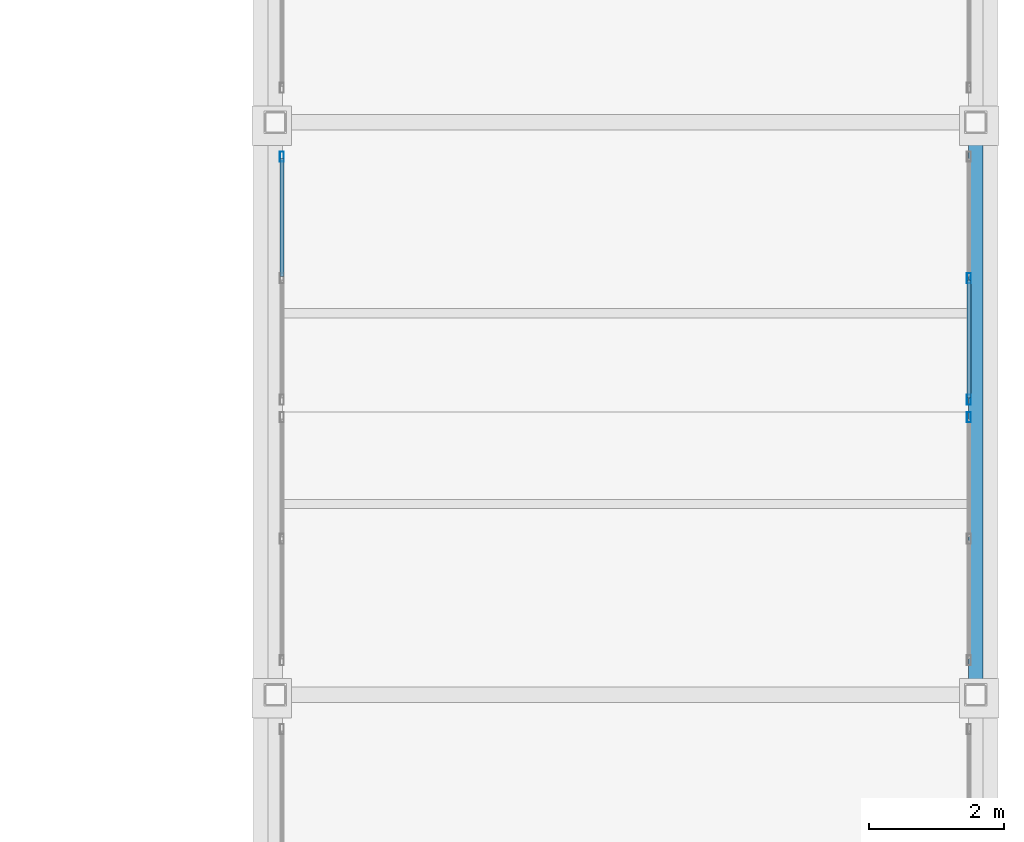
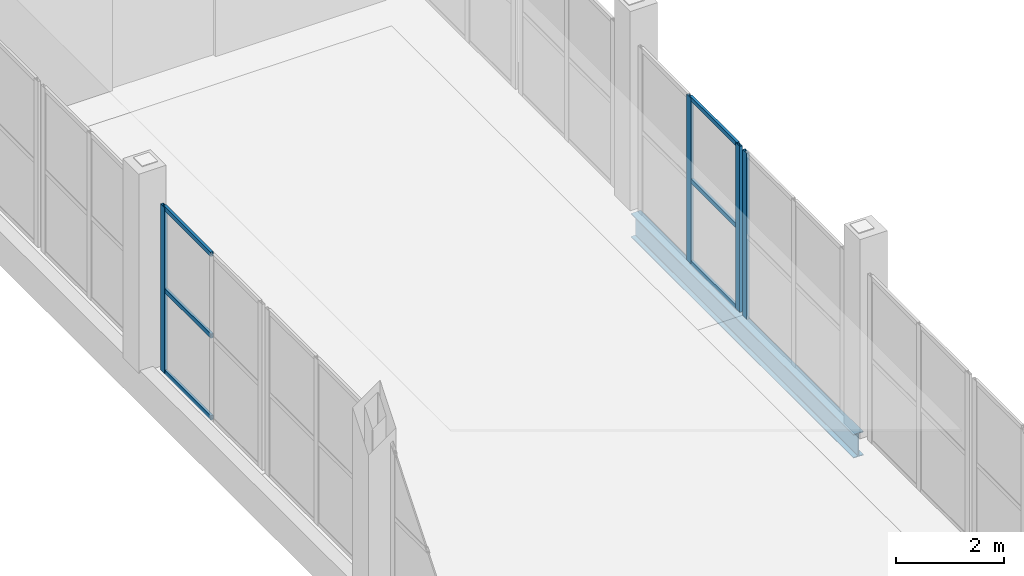
# One storey, part 77 of 156: 10 members, 1 beam, 3 elements without a shape of their own.
"""IFC4 building model written with IfcOpenShell, lengths in metres."""

from ifc_helpers import new_model, si_unit, direction, frame, origin, origin_2d, place, context, subcontext, project, spatial, hollow_rectangle, i_section, extrude, material, material_profile, profile_set, type_object, element, aggregate, save


model = new_model("IFC4")

# Units and contexts
model_context = context("Model", 3, precision=1e-05, world=origin(), true_north=direction((0.0, 1.0)))
body_context = subcontext(model_context, "Body", "Model", "MODEL_VIEW")
ifc_project = project(units=[si_unit("LENGTHUNIT", "METRE"), si_unit("AREAUNIT", "SQUARE_METRE"), si_unit("VOLUMEUNIT", "CUBIC_METRE"), si_unit("PLANEANGLEUNIT", "RADIAN"), si_unit("MASSUNIT", "GRAM", prefix="KILO")], contexts=[model_context])

# Site, building, storey
site_placement = place(None, origin())
site = spatial("IfcSite", under=ifc_project, at=site_placement, CompositionType="ELEMENT")
building_placement = place(site_placement, origin())
building = spatial("IfcBuilding", under=site, at=building_placement, Name="Caurita Quay Ferry Terminal", CompositionType="ELEMENT")
storey_placement = place(building_placement, frame((0.0, 0.0, 5.39990234375)))
storey = spatial("IfcBuildingStorey", under=building, at=storey_placement, Name="L01", CompositionType="ELEMENT", Elevation=5.39990234375)

# Beam
ifc_material_1 = material(Name="Structural steel ASTM A992 Gr. 50", Category="steel")
ifc_material_profile_1 = material_profile(ifc_material_1, i_section(OverallWidth=0.210693359375, OverallDepth=0.53857421875, WebThickness=0.01171875, FlangeThickness=0.018798828125, FilletRadius=0.013916015625, at=origin_2d()), Name="W21X73")
ifc_profile_set_1 = profile_set([ifc_material_profile_1], Name="Structural steel ASTM A992 Gr. 50")
beam_type = type_object("IfcBeamType", Name="BM-GR-W21A", PredefinedType="BEAM", material=ifc_profile_set_1)
beam_placement = place(storey_placement, frame((174.0, 17.12939453125, -0.504150390625), z_axis=(0.0, 1.0, 0.0), x_axis=(-1.0, 0.0, 0.0)))
element("IfcBeam", 1, at=beam_placement, inside=storey, type_object=beam_type, Name="L01 Beam BM-V3P-L01-Y-1740-171", PredefinedType="BEAM", context=body_context, shape_type="SweptSolid", body=[
    extrude(i_section(OverallWidth=0.210693359375, OverallDepth=0.53857421875, WebThickness=0.01171875, FlangeThickness=0.018798828125, FilletRadius=0.013916015625, at=origin_2d()), origin(), (0.0, 0.0, 1.0), 8.2412109375),
])

# Curtain wall, member
ifc_material_2 = material(Name="Laminated solar-control insulated glass", Category="glass")
curtain_wall_type = type_object("IfcCurtainWallType", Name="CW-SYS-15", PredefinedType="NOTDEFINED", material=ifc_material_2)
curtain_wall_1_placement = place(storey_placement, origin())
curtain_wall_1 = element("IfcCurtainWall", 2, at=curtain_wall_1_placement, inside=storey, type_object=curtain_wall_type, Name="Boarding Gangway Ribbon Curtain Wall 127", PredefinedType="NOTDEFINED")
ifc_material_3 = material(Name="Anodized aluminium 6063-T6", Category="aluminium")
ifc_material_profile_2 = material_profile(ifc_material_3, hollow_rectangle(XDim=0.06005859375, YDim=0.14990234375, WallThickness=0.00341796875, at=origin_2d()), Name="ALU-MUL-60X150")
ifc_profile_set_2 = profile_set([ifc_material_profile_2], Name="Anodized aluminium 6063-T6")
member_type_1 = type_object("IfcMemberType", Name="CW-MUL-150", PredefinedType="MULLION", material=ifc_profile_set_2)
member_1_placement = place(storey_placement, frame((163.699951171875, 24.989990234375, 0.0), z_axis=(0.0, 0.0, 1.0), x_axis=(-1.0, 0.0, 0.0)))
member_1 = element("IfcMember", 3, at=member_1_placement, type_object=member_type_1, Name="CW-BGW-127 Mullion 3", PredefinedType="MULLION", context=body_context, shape_type="SweptSolid", body=[
    extrude(hollow_rectangle(XDim=0.06005859375, YDim=0.14990234375, WallThickness=0.00341796875, at=origin_2d()), origin(), (0.0, 0.0, 1.0), 3.75),
])

curtain_wall_2_placement = place(storey_placement, origin())
curtain_wall_2 = element("IfcCurtainWall", 4, at=curtain_wall_2_placement, inside=storey, type_object=curtain_wall_type, Name="Boarding Gangway Ribbon Curtain Wall 132", PredefinedType="NOTDEFINED")
member_2_placement = place(storey_placement, frame((173.89990234375, 21.1201171875, 0.0), z_axis=(0.0, 0.0, 1.0), x_axis=(-1.0, 0.0, 0.0)))
member_2 = element("IfcMember", 5, at=member_2_placement, type_object=member_type_1, Name="CW-BGW-132 Mullion 3", PredefinedType="MULLION", context=body_context, shape_type="SweptSolid", body=[
    extrude(hollow_rectangle(XDim=0.06005859375, YDim=0.14990234375, WallThickness=0.00341796875, at=origin_2d()), origin(), (0.0, 0.0, 1.0), 3.75),
])
aggregate(curtain_wall_2, [member_2])

# Curtain wall, members
curtain_wall_3_placement = place(storey_placement, origin())
curtain_wall_3 = element("IfcCurtainWall", 6, at=curtain_wall_3_placement, inside=storey, type_object=curtain_wall_type, Name="Boarding Gangway Ribbon Curtain Wall 133", PredefinedType="NOTDEFINED")
member_3_placement = place(storey_placement, frame((173.89990234375, 21.3798828125, 0.0), z_axis=(0.0, 0.0, 1.0), x_axis=(-1.0, 0.0, 0.0)))
member_3 = element("IfcMember", 7, at=member_3_placement, type_object=member_type_1, Name="CW-BGW-133 Mullion 1", PredefinedType="MULLION", context=body_context, shape_type="SweptSolid", body=[
    extrude(hollow_rectangle(XDim=0.06005859375, YDim=0.14990234375, WallThickness=0.00341796875, at=origin_2d()), origin(), (0.0, 0.0, 1.0), 3.75),
])
member_4_placement = place(storey_placement, frame((173.89990234375, 23.18505859375, 0.0), z_axis=(0.0, 0.0, 1.0), x_axis=(-1.0, 0.0, 0.0)))
member_4 = element("IfcMember", 8, at=member_4_placement, type_object=member_type_1, Name="CW-BGW-133 Mullion 2", PredefinedType="MULLION", context=body_context, shape_type="SweptSolid", body=[
    extrude(hollow_rectangle(XDim=0.06005859375, YDim=0.14990234375, WallThickness=0.00341796875, at=origin_2d()), origin(), (0.0, 0.0, 1.0), 3.75),
])

# Member
ifc_material_profile_3 = material_profile(ifc_material_3, hollow_rectangle(XDim=0.054931640625, YDim=0.10009765625, WallThickness=0.00341796875, at=origin_2d()), Name="ALU-TRN-55X100")
ifc_profile_set_3 = profile_set([ifc_material_profile_3], Name="Anodized aluminium 6063-T6")
member_type_2 = type_object("IfcMemberType", Name="CW-TRN-100", PredefinedType="USERDEFINED", material=ifc_profile_set_3)
member_5_placement = place(storey_placement, frame((163.699951171875, 23.212890625, 0.027587890625), z_axis=(0.0, 1.0, 0.0), x_axis=(-1.0, 0.0, 0.0)))
member_5 = element("IfcMember", 9, at=member_5_placement, type_object=member_type_2, Name="CW-BGW-127 Transom 4", ObjectType="TRANSOM", PredefinedType="USERDEFINED", context=body_context, shape_type="SweptSolid", body=[
    extrude(hollow_rectangle(XDim=0.054931640625, YDim=0.10009765625, WallThickness=0.00341796875, at=origin_2d()), origin(), (0.0, 0.0, 1.0), 1.7490234375),
])

member_6_placement = place(storey_placement, frame((163.699951171875, 23.212890625, 1.875), z_axis=(0.0, 1.0, 0.0), x_axis=(-1.0, 0.0, 0.0)))
member_6 = element("IfcMember", 10, at=member_6_placement, type_object=member_type_2, Name="CW-BGW-127 Transom 5", ObjectType="TRANSOM", PredefinedType="USERDEFINED", context=body_context, shape_type="SweptSolid", body=[
    extrude(hollow_rectangle(XDim=0.054931640625, YDim=0.10009765625, WallThickness=0.00341796875, at=origin_2d()), origin(), (0.0, 0.0, 1.0), 1.7490234375),
])

member_7_placement = place(storey_placement, frame((163.699951171875, 23.212890625, 3.72265625), z_axis=(0.0, 1.0, 0.0), x_axis=(-1.0, 0.0, 0.0)))
member_7 = element("IfcMember", 11, at=member_7_placement, type_object=member_type_2, Name="CW-BGW-127 Transom 6", ObjectType="TRANSOM", PredefinedType="USERDEFINED", context=body_context, shape_type="SweptSolid", body=[
    extrude(hollow_rectangle(XDim=0.054931640625, YDim=0.10009765625, WallThickness=0.00341796875, at=origin_2d()), origin(), (0.0, 0.0, 1.0), 1.7490234375),
])

aggregate(curtain_wall_1, [member_1, member_5, member_6, member_7])

member_8_placement = place(storey_placement, frame((173.89990234375, 21.407958984375, 0.027587890625), z_axis=(0.0, 1.0, 0.0), x_axis=(-1.0, 0.0, 0.0)))
member_8 = element("IfcMember", 12, at=member_8_placement, type_object=member_type_2, Name="CW-BGW-133 Transom 1", ObjectType="TRANSOM", PredefinedType="USERDEFINED", context=body_context, shape_type="SweptSolid", body=[
    extrude(hollow_rectangle(XDim=0.054931640625, YDim=0.10009765625, WallThickness=0.00341796875, at=origin_2d()), origin(), (0.0, 0.0, 1.0), 1.7490234375),
])

member_9_placement = place(storey_placement, frame((173.89990234375, 21.407958984375, 1.875), z_axis=(0.0, 1.0, 0.0), x_axis=(-1.0, 0.0, 0.0)))
member_9 = element("IfcMember", 13, at=member_9_placement, type_object=member_type_2, Name="CW-BGW-133 Transom 2", ObjectType="TRANSOM", PredefinedType="USERDEFINED", context=body_context, shape_type="SweptSolid", body=[
    extrude(hollow_rectangle(XDim=0.054931640625, YDim=0.10009765625, WallThickness=0.00341796875, at=origin_2d()), origin(), (0.0, 0.0, 1.0), 1.7490234375),
])

member_10_placement = place(storey_placement, frame((173.89990234375, 21.407958984375, 3.72265625), z_axis=(0.0, 1.0, 0.0), x_axis=(-1.0, 0.0, 0.0)))
member_10 = element("IfcMember", 14, at=member_10_placement, type_object=member_type_2, Name="CW-BGW-133 Transom 3", ObjectType="TRANSOM", PredefinedType="USERDEFINED", context=body_context, shape_type="SweptSolid", body=[
    extrude(hollow_rectangle(XDim=0.054931640625, YDim=0.10009765625, WallThickness=0.00341796875, at=origin_2d()), origin(), (0.0, 0.0, 1.0), 1.7490234375),
])

aggregate(curtain_wall_3, [member_3, member_4, member_8, member_9, member_10])

save(model, "model.ifc")
